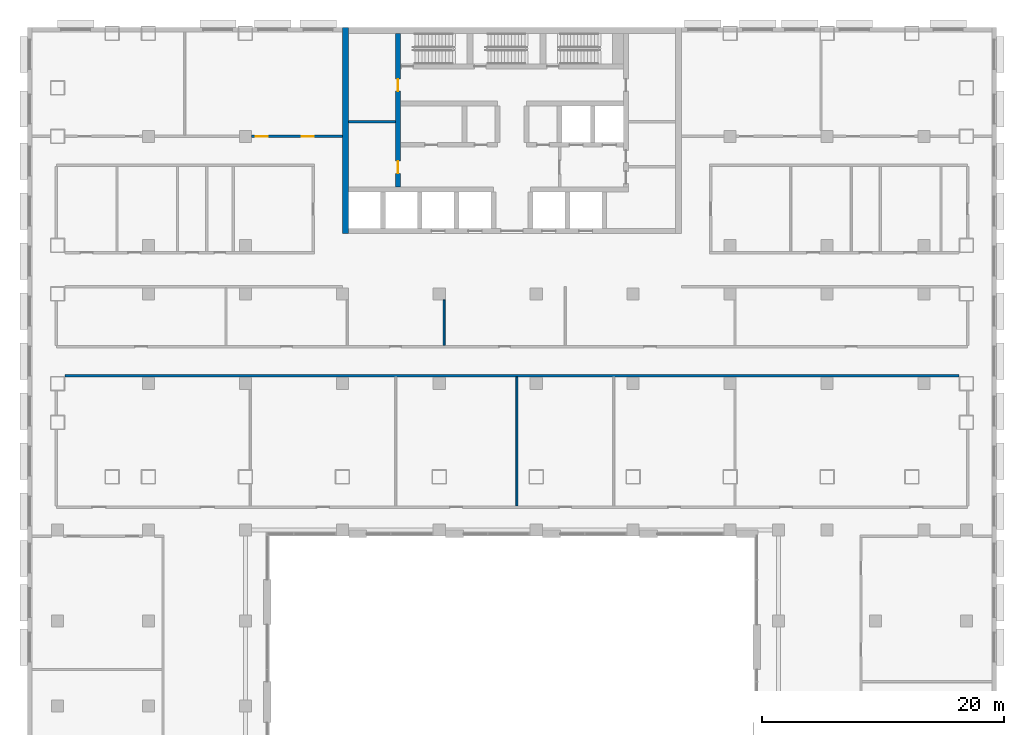
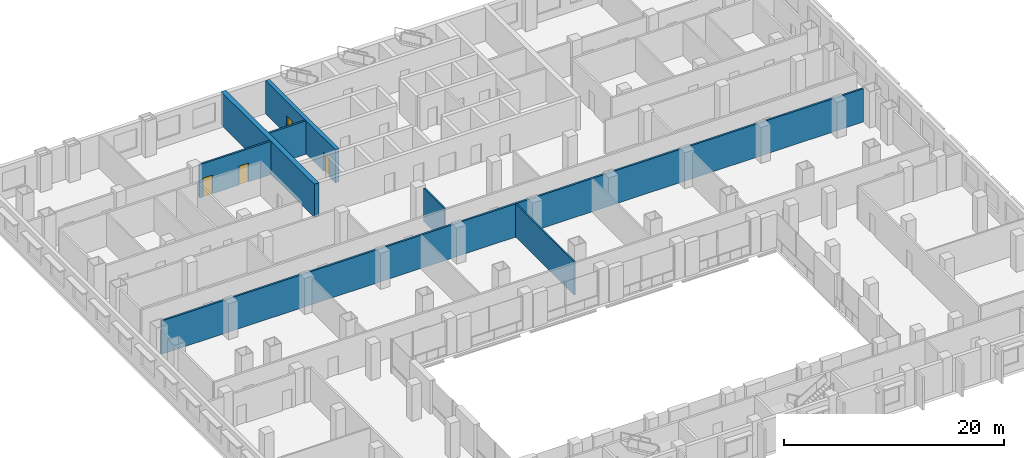
# One storey, part 12 of 25: 7 walls, 4 doors, 4 openings.
"""IFC4 building model written with IfcOpenShell, lengths in metres."""

from ifc_helpers import new_model, si_unit, direction, frame, frame_2d, origin, place, context, subcontext, project, spatial, rectangle, extrude, material, layer, layer_set, type_object, element, fill, save


model = new_model("IFC4")

# Units and contexts
model_context = context("Model", 3, precision=1e-05, world=origin(), true_north=direction((0.0, 1.0)))
body_context = subcontext(model_context, "Body", "Model", "MODEL_VIEW")
ifc_project = project(units=[si_unit("LENGTHUNIT", "METRE"), si_unit("AREAUNIT", "SQUARE_METRE"), si_unit("VOLUMEUNIT", "CUBIC_METRE"), si_unit("PLANEANGLEUNIT", "RADIAN"), si_unit("MASSUNIT", "GRAM", prefix="KILO")], contexts=[model_context])

# Site, building, storey
site_placement = place(None, origin())
site = spatial("IfcSite", under=ifc_project, at=site_placement, CompositionType="ELEMENT")
building_placement = place(site_placement, origin())
building = spatial("IfcBuilding", under=site, at=building_placement, Name="Vidyagriha Tower", CompositionType="ELEMENT")
storey_placement = place(building_placement, frame((0.0, 0.0, 10.0)))
storey = spatial("IfcBuildingStorey", under=building, at=storey_placement, Name="L02", CompositionType="ELEMENT", Elevation=10.0)

# Wall, openings, doors
ifc_material_1 = material(Name="Concrete C60/75", Category="concrete")
ifc_layer_1 = layer(ifc_material_1, 0.39990234375)
ifc_layer_set_1 = layer_set([ifc_layer_1], Name="Concrete C60/75")
wall_type_1 = type_object("IfcWallType", Name="Core shear wall 400 mm", PredefinedType="SHEAR", material=ifc_layer_set_1)
wall_1_placement = place(storey_placement, frame((-9.39990234375, 6.800048828125, 0.0), z_axis=(0.0, 0.0, 1.0), x_axis=(0.0, 1.0, 0.0)))
wall_1 = element("IfcWall", 1, at=wall_1_placement, inside=storey, type_object=wall_type_1, Name="Core west spine wall", PredefinedType="SHEAR", context=body_context, shape_type="SweptSolid", body=[
    extrude(rectangle(XDim=12.699951171875, YDim=0.39990234375, at=frame_2d((6.35009765625, 0.0))), origin(), (0.0, 0.0, 1.0), 3.699951171875),
])
opening_1_placement = place(wall_1_placement, frame((1.14990234375, 0.0, 0.0)))
opening_1 = element("IfcOpeningElement", 2, at=opening_1_placement, cuts=wall_1, Name="Opening D02-09", PredefinedType="OPENING", context=body_context, shape_type="SweptSolid", body=[
    extrude(rectangle(XDim=1.0, YDim=2.10009765625, at=frame_2d((0.5, 1.050048828125))), frame((0.0, 0.2099609375, 0.0), z_axis=(0.0, -1.0, 0.0), x_axis=(1.0, 0.0, 0.0)), (0.0, 0.0, 1.0), 0.419921875),
])
opening_2_placement = place(wall_1_placement, frame((7.925048828125, 0.0, 0.0)))
opening_2 = element("IfcOpeningElement", 3, at=opening_2_placement, cuts=wall_1, Name="Opening D02-10", PredefinedType="OPENING", context=body_context, shape_type="SweptSolid", body=[
    extrude(rectangle(XDim=1.0, YDim=2.10009765625, at=frame_2d((0.5, 1.050048828125))), frame((0.0, 0.2099609375, 0.0), z_axis=(0.0, -1.0, 0.0), x_axis=(1.0, 0.0, 0.0)), (0.0, 0.0, 1.0), 0.419921875),
])
ifc_material_2 = material(Name="Hollow metal door leaf")
door_type_1 = type_object("IfcDoorType", Name="Core room door 1000 x 2100 mm EI 60", OperationType="NOTDEFINED", PredefinedType="DOOR", material=ifc_material_2)
door_1_placement = place(opening_1_placement, frame((1.0, 0.0, 0.0), z_axis=(0.0, 0.0, 1.0), x_axis=(-1.0, 0.0, 0.0)))
door_1 = element("IfcDoor", 4, at=door_1_placement, inside=storey, type_object=door_type_1, Name="Door Riser Room 02.W1", OperationType="SINGLE_SWING_RIGHT", OverallHeight=2.10009765625, OverallWidth=1.0, PredefinedType="DOOR", context=body_context, shape_type="SweptSolid", body=[
    extrude(rectangle(XDim=1.0, YDim=2.10009765625, at=frame_2d((0.5, 1.050048828125))), frame((0.0, 0.02490234375, 0.0), z_axis=(0.0, -1.0, 0.0), x_axis=(1.0, 0.0, 0.0)), (0.0, 0.0, 1.0), 0.050048828125),
])
fill(opening_1, door_1)
door_2_placement = place(opening_2_placement, frame((1.0, 0.0, 0.0), z_axis=(0.0, 0.0, 1.0), x_axis=(-1.0, 0.0, 0.0)))
door_2 = element("IfcDoor", 5, at=door_2_placement, inside=storey, type_object=door_type_1, Name="Door Switchgear Room 02.W2", OperationType="SINGLE_SWING_LEFT", OverallHeight=2.10009765625, OverallWidth=1.0, PredefinedType="DOOR", context=body_context, shape_type="SweptSolid", body=[
    extrude(rectangle(XDim=1.0, YDim=2.10009765625, at=frame_2d((0.5, 1.050048828125))), frame((0.0, 0.02490234375, 0.0), z_axis=(0.0, -1.0, 0.0), x_axis=(1.0, 0.0, 0.0)), (0.0, 0.0, 1.0), 0.050048828125),
])
fill(opening_2, door_2)

# Walls
ifc_material_3 = material(Name="Concrete C60/75", Category="concrete")
ifc_layer_2 = layer(ifc_material_3, 0.5)
ifc_layer_set_2 = layer_set([ifc_layer_2], Name="Concrete C60/75")
wall_type_2 = type_object("IfcWallType", Name="Core shear wall 500 mm", PredefinedType="SHEAR", material=ifc_layer_set_2)
wall_2_placement = place(storey_placement, frame((-13.75, 3.0, 0.0), z_axis=(0.0, 0.0, 1.0), x_axis=(0.0, 1.0, 0.0)))
element("IfcWall", 6, at=wall_2_placement, inside=storey, type_object=wall_type_2, Name="Core west wall", PredefinedType="SHEAR", context=body_context, shape_type="SweptSolid", body=[
    extrude(rectangle(XDim=17.0, YDim=0.5, at=frame_2d((8.5, 0.0))), origin(), (0.0, 0.0, 1.0), 3.699951171875),
])
ifc_material_4 = material(Name="Fire rated gypsum board on light gauge framing")
ifc_layer_3 = layer(ifc_material_4, 0.199951171875)
ifc_layer_set_3 = layer_set([ifc_layer_3], Name="Fire rated gypsum board on light gauge framing")
wall_type_3 = type_object("IfcWallType", Name="Fire Rated Corridor Wall 200", PredefinedType="PARTITIONING", material=ifc_layer_set_3)
wall_3_placement = place(storey_placement, frame((-36.89990234375, -8.75, 0.0)))
element("IfcWall", 7, at=wall_3_placement, inside=storey, type_object=wall_type_3, Name="L02 Fire Rated Corridor Wall 200 022", PredefinedType="PARTITIONING", context=body_context, shape_type="SweptSolid", body=[
    extrude(rectangle(XDim=73.7998046875, YDim=0.199951171875, at=frame_2d((36.89990234375, 0.0))), origin(), (0.0, 0.0, 1.0), 3.699951171875),
])

# Wall, openings, doors
wall_4_placement = place(storey_placement, frame((-21.5, 11.0, 0.0)))
wall_4 = element("IfcWall", 8, at=wall_4_placement, inside=storey, type_object=wall_type_3, Name="L02 Fire Rated Corridor Wall 200 033", PredefinedType="PARTITIONING", context=body_context, shape_type="SweptSolid", body=[
    extrude(rectangle(XDim=7.5, YDim=0.199951171875, at=frame_2d((3.75, 0.0))), origin(), (0.0, 0.0, 1.0), 3.699951171875),
])
opening_3_placement = place(wall_4_placement, frame((0.35009765625, 0.0, 0.0)))
opening_3 = element("IfcOpeningElement", 9, at=opening_3_placement, cuts=wall_4, Name="Opening D02-53", PredefinedType="OPENING", context=body_context, shape_type="SweptSolid", body=[
    extrude(rectangle(XDim=1.0, YDim=2.10009765625, at=frame_2d((0.5, 1.050048828125))), frame((0.0, 0.10986328125, 0.0), z_axis=(0.0, -1.0, 0.0), x_axis=(1.0, 0.0, 0.0)), (0.0, 0.0, 1.0), 0.219970703125),
])
opening_4_placement = place(wall_4_placement, frame((4.139892578125, 0.0, 0.0)))
opening_4 = element("IfcOpeningElement", 10, at=opening_4_placement, cuts=wall_4, Name="Opening D02-54", PredefinedType="OPENING", context=body_context, shape_type="SweptSolid", body=[
    extrude(rectangle(XDim=1.0, YDim=2.10009765625, at=frame_2d((0.5, 1.050048828125))), frame((0.0, 0.10986328125, 0.0), z_axis=(0.0, -1.0, 0.0), x_axis=(1.0, 0.0, 0.0)), (0.0, 0.0, 1.0), 0.219970703125),
])
ifc_material_5 = material(Name="Steel fire door set", Category="steel")
door_type_2 = type_object("IfcDoorType", Name="Podium Door 1000x2100 EI 30", OperationType="NOTDEFINED", PredefinedType="DOOR", material=ifc_material_5)
door_3_placement = place(opening_3_placement, origin())
door_3 = element("IfcDoor", 11, at=door_3_placement, inside=storey, type_object=door_type_2, Name="L02 door D02-53", OperationType="SINGLE_SWING_LEFT", OverallHeight=2.10009765625, OverallWidth=1.0, PredefinedType="DOOR", context=body_context, shape_type="SweptSolid", body=[
    extrude(rectangle(XDim=1.0, YDim=2.10009765625, at=frame_2d((0.5, 1.050048828125))), frame((0.0, 0.02490234375, 0.0), z_axis=(0.0, -1.0, 0.0), x_axis=(1.0, 0.0, 0.0)), (0.0, 0.0, 1.0), 0.050048828125),
])
fill(opening_3, door_3)
door_4_placement = place(opening_4_placement, origin())
door_4 = element("IfcDoor", 12, at=door_4_placement, inside=storey, type_object=door_type_2, Name="L02 door D02-54", OperationType="SINGLE_SWING_RIGHT", OverallHeight=2.10009765625, OverallWidth=1.0, PredefinedType="DOOR", context=body_context, shape_type="SweptSolid", body=[
    extrude(rectangle(XDim=1.0, YDim=2.10009765625, at=frame_2d((0.5, 1.050048828125))), frame((0.0, 0.02490234375, 0.0), z_axis=(0.0, -1.0, 0.0), x_axis=(1.0, 0.0, 0.0)), (0.0, 0.0, 1.0), 0.050048828125),
])
fill(opening_4, door_4)

# Walls
ifc_material_6 = material(Name="Gypsum board on light gauge framing")
ifc_layer_4 = layer(ifc_material_6, 0.14990234375)
ifc_layer_set_4 = layer_set([ifc_layer_4], Name="Gypsum board on light gauge framing")
wall_type_4 = type_object("IfcWallType", Name="Gypsum Board Partition 150", PredefinedType="PARTITIONING", material=ifc_layer_set_4)
wall_5_placement = place(storey_placement, frame((-5.60009765625, -6.25, 0.0), z_axis=(0.0, 0.0, 1.0), x_axis=(0.0, 1.0, 0.0)))
element("IfcWall", 13, at=wall_5_placement, inside=storey, type_object=wall_type_4, Name="L02 Gypsum Board Partition 150 058", PredefinedType="PARTITIONING", context=body_context, shape_type="SweptSolid", body=[
    extrude(rectangle(XDim=3.75, YDim=0.14990234375, at=frame_2d((1.875, 0.0))), origin(), (0.0, 0.0, 1.0), 3.699951171875),
])
wall_6_placement = place(storey_placement, frame((0.39990234375, -19.5, 0.0), z_axis=(0.0, 0.0, 1.0), x_axis=(0.0, 1.0, 0.0)))
element("IfcWall", 14, at=wall_6_placement, inside=storey, type_object=wall_type_4, Name="L02 Gypsum Board Partition 150 060", PredefinedType="PARTITIONING", context=body_context, shape_type="SweptSolid", body=[
    extrude(rectangle(XDim=10.64990234375, YDim=0.14990234375, at=frame_2d((5.324951171875, 0.0))), origin(), (0.0, 0.0, 1.0), 3.699951171875),
])
ifc_material_7 = material(Name="Blockwork 15 MPa", Category="masonry")
ifc_layer_5 = layer(ifc_material_7, 0.199951171875)
ifc_layer_set_5 = layer_set([ifc_layer_5], Name="Blockwork 15 MPa")
wall_type_5 = type_object("IfcWallType", Name="Service room partition 200 mm", PredefinedType="PARTITIONING", material=ifc_layer_set_5)
wall_7_placement = place(storey_placement, frame((-13.5, 12.199951171875, 0.0)))
element("IfcWall", 15, at=wall_7_placement, inside=storey, type_object=wall_type_5, Name="Core room partition W1", PredefinedType="PARTITIONING", context=body_context, shape_type="SweptSolid", body=[
    extrude(rectangle(XDim=3.89990234375, YDim=0.199951171875, at=frame_2d((1.949951171875, 0.0))), origin(), (0.0, 0.0, 1.0), 3.699951171875),
])

save(model, "model.ifc")
